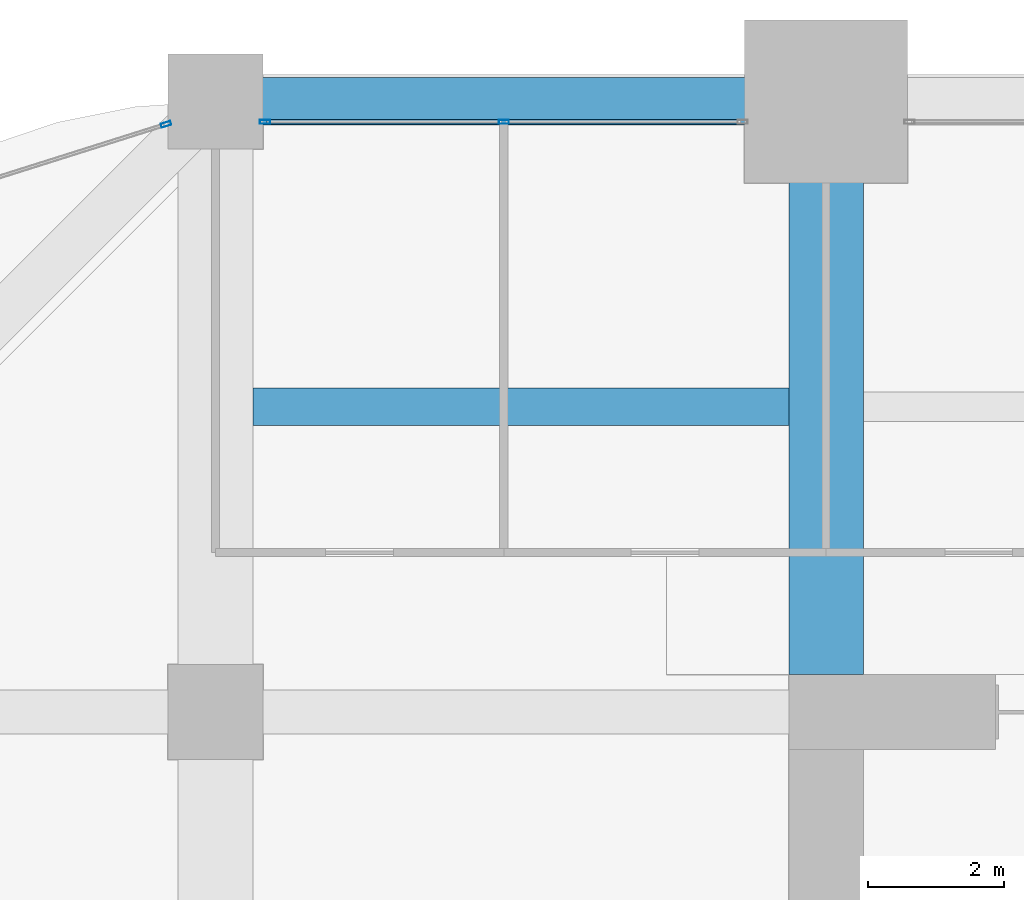
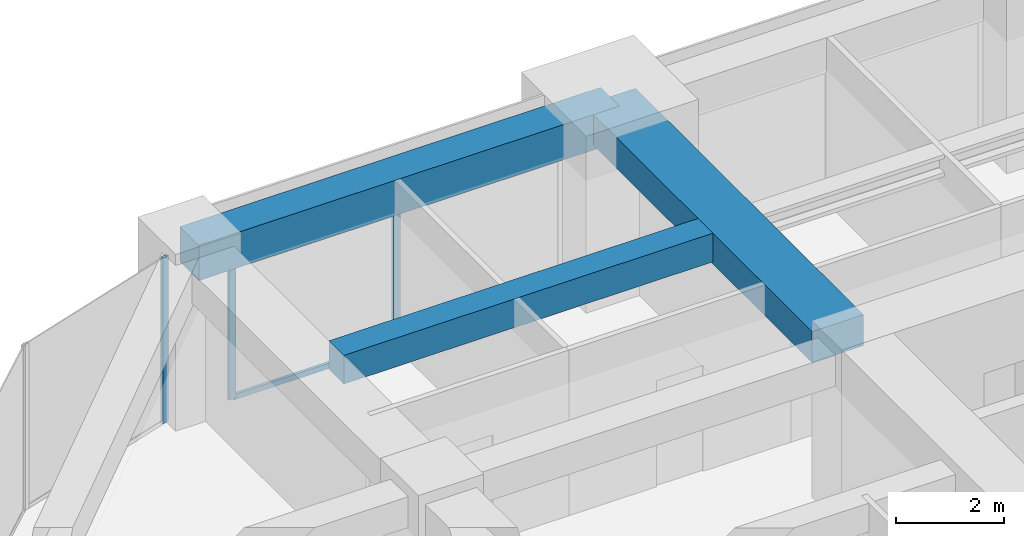
# One storey, part 23 of 32: 4 members, 3 beams, 2 elements without a shape of their own.
"""IFC4 building model written with IfcOpenShell, lengths in metres."""

import ifcopenshell
import ifcopenshell.guid

model = None  # the IFC model being written
_history = None  # IfcOwnerHistory: only IFC2X3 demands one
_inside = {}  # id of a spatial element -> (the spatial element, [elements in it])
_under = {}  # id of a project, library or spatial element -> (it, [spatial elements below it])
_declared = {}  # id of a project -> (the project, [libraries it declares])
_typed = {}  # id of a type object -> (the type object, [elements of that type])
_made_of = {}  # id of a material, layer set ... -> (it, [elements and type objects made of it])


def new_model(schema):
    """Start an empty IFC model of exactly this schema.

    Asked for "IFC4X3", IfcOpenShell would pick the latest addendum, in which some entities
    have other attributes; the version numbers below select the first issue.
    IFC2X3 requires an IfcOwnerHistory on every rooted entity: one is made here for all.
    """
    global model, _history
    if schema == "IFC4X3":
        model = ifcopenshell.file(schema_version=(4, 3, 0, 0))
    else:
        model = ifcopenshell.file(schema=schema)
    _inside.clear()
    _under.clear()
    _declared.clear()
    _typed.clear()
    _made_of.clear()
    _history = None
    if model.schema == "IFC2X3":
        org = make("IfcOrganization", Name="unknown")
        user = make(
            "IfcPersonAndOrganization",
            ThePerson=make("IfcPerson", FamilyName="unknown"),
            TheOrganization=org,
        )
        app = make(
            "IfcApplication",
            ApplicationDeveloper=org,
            Version="unknown",
            ApplicationFullName="unknown",
            ApplicationIdentifier="unknown",
        )
        _history = make(
            "IfcOwnerHistory",
            OwningUser=user,
            OwningApplication=app,
            ChangeAction="ADDED",
            CreationDate=0,
        )
    return model


def make(cls, **values):
    """One entity of the class cls with the attributes given. An attribute that is None is left unset."""
    return model.create_entity(
        cls, **{name: value for name, value in values.items() if value is not None}
    )


def rooted(cls, **values):
    """An entity with a GlobalId (a new one), such as an element, a storey or a relation."""
    return make(cls, GlobalId=ifcopenshell.guid.new(), OwnerHistory=_history, **values)


def si_unit(unit_type, name, prefix=None):
    """IfcSIUnit, for example si_unit("LENGTHUNIT", "METRE", prefix="MILLI")."""
    return make("IfcSIUnit", UnitType=unit_type, Prefix=prefix, Name=name)


def assignment(units):
    """IfcUnitAssignment: the units of a project."""
    return None if units is None else make("IfcUnitAssignment", Units=units)


def point(xyz):
    """IfcCartesianPoint."""
    return None if xyz is None else make("IfcCartesianPoint", Coordinates=xyz)


def direction(xyz):
    """IfcDirection."""
    return None if xyz is None else make("IfcDirection", DirectionRatios=xyz)


def frame(location, z_axis=None, x_axis=None):
    """IfcAxis2Placement3D, a coordinate frame: its origin and axes. An axis left out is left unset."""
    return make(
        "IfcAxis2Placement3D",
        Location=point(location),
        Axis=direction(z_axis),
        RefDirection=direction(x_axis),
    )


def frame_2d(location, x_axis=None):
    """IfcAxis2Placement2D, a coordinate frame in the plane: its origin and x axis."""
    return make(
        "IfcAxis2Placement2D", Location=point(location), RefDirection=direction(x_axis)
    )


def origin():
    """The frame at (0, 0, 0) with its axes left unset."""
    return frame((0.0, 0.0, 0.0))


def origin_2d():
    """The frame at (0, 0) in the plane with its x axis left unset."""
    return frame_2d((0.0, 0.0))


def place(relative_to, where):
    """IfcLocalPlacement: puts the frame where relative to a parent placement (None: the world)."""
    return make(
        "IfcLocalPlacement", PlacementRelTo=relative_to, RelativePlacement=where
    )


def context(
    kind, dimensions, precision=None, world=None, true_north=None, identifier=None
):
    """IfcGeometricRepresentationContext, for example the 3D "Model" context."""
    return make(
        "IfcGeometricRepresentationContext",
        ContextIdentifier=identifier,
        ContextType=kind,
        CoordinateSpaceDimension=dimensions,
        Precision=precision,
        WorldCoordinateSystem=world,
        TrueNorth=true_north,
    )


def subcontext(parent, identifier, kind, view, scale=None):
    """IfcGeometricRepresentationSubContext, for example "Body" below "Model"."""
    return make(
        "IfcGeometricRepresentationSubContext",
        ContextIdentifier=identifier,
        ContextType=kind,
        ParentContext=parent,
        TargetScale=scale,
        TargetView=view,
    )


def project(units=None, contexts=None):
    """IfcProject with its units and contexts."""
    return rooted(
        "IfcProject",
        Name="project",
        RepresentationContexts=contexts,
        UnitsInContext=assignment(units),
    )


def spatial(cls, under=None, at=None, **own):
    """A site, building, storey or space (cls), placed at a placement, below another one or the project."""
    s = rooted(cls, ObjectPlacement=at, **own)
    if under is not None:
        _under.setdefault(under.id(), (under, []))[1].append(s)
    return s


def profile(cls, at=None, kind="AREA", **sizes):
    """A parametric profile (cls). Its sizes go by their IFC names, for example OverallWidth=200.0."""
    return make(cls, ProfileType=kind, Position=at, **sizes)


def rectangle(**sizes):
    """IfcRectangleProfileDef."""
    return profile("IfcRectangleProfileDef", **sizes)


def hollow_rectangle(**sizes):
    """IfcRectangleHollowProfileDef."""
    return profile("IfcRectangleHollowProfileDef", **sizes)


def extrude(swept, where, along, depth):
    """IfcExtrudedAreaSolid: the profile swept, set in the frame where, extruded along a direction by depth."""
    return make(
        "IfcExtrudedAreaSolid",
        SweptArea=swept,
        Position=where,
        ExtrudedDirection=direction(along),
        Depth=depth,
    )


def shape(context_of_items, identifier, shape_type, items):
    """IfcShapeRepresentation: the items that make up one representation, for example the "Body"."""
    return make(
        "IfcShapeRepresentation",
        ContextOfItems=context_of_items,
        RepresentationIdentifier=identifier,
        RepresentationType=shape_type,
        Items=items,
    )


def material(Name=None, Category=None):
    """IfcMaterial."""
    return make("IfcMaterial", Name=Name, Category=Category)


def material_profile(
    of_material, cross_section, Name=None, Category=None, Priority=None
):
    """IfcMaterialProfile: a cross section and its material."""
    return make(
        "IfcMaterialProfile",
        Name=Name,
        Material=of_material,
        Profile=cross_section,
        Priority=Priority,
        Category=Category,
    )


def profile_set(profiles, Name=None, composite=None):
    """IfcMaterialProfileSet."""
    return make(
        "IfcMaterialProfileSet",
        Name=Name,
        MaterialProfiles=profiles,
        CompositeProfile=composite,
    )


def made_of(thing, what):
    """Note that an element or type object is made of a material, layer set ...; save() writes the relation."""
    if what is not None:
        _made_of.setdefault(what.id(), (what, []))[1].append(thing)
    return thing


def type_object(cls, material=None, **own):
    """A type object (cls), such as IfcWallType, which elements share."""
    return made_of(rooted(cls, **own), material)


def element(
    cls,
    number,
    at=None,
    inside=None,
    cuts=None,
    type_object=None,
    material=None,
    context=None,
    identifier="Body",
    shape_type=None,
    held_by="IfcProductDefinitionShape",
    body=None,
    shapes=None,
    **own,
):
    """One element of the class cls, such as IfcWall. Its Tag is "e" and its number.

    at: its placement. inside: the storey or other place that contains it. cuts: it is an
    opening in that element (IfcRelVoidsElement). A single representation is given by context,
    identifier, shape_type and body (its items); several are given by shapes. held_by: the class
    of the entity that holds the representations. save() writes the other relations.
    """
    e = rooted(cls, Tag="e%d" % number, ObjectPlacement=at, **own)
    if body is not None:
        shapes = [shape(context, identifier, shape_type, body)]
    if shapes is not None:
        e.Representation = make(held_by, Representations=shapes)
    if inside is not None:
        _inside.setdefault(inside.id(), (inside, []))[1].append(e)
    if cuts is not None:
        rooted(
            "IfcRelVoidsElement", RelatingBuildingElement=cuts, RelatedOpeningElement=e
        )
    if type_object is not None:
        _typed.setdefault(type_object.id(), (type_object, []))[1].append(e)
    return made_of(e, material)


def aggregate(whole, parts):
    """IfcRelAggregates: a whole, such as a stair, and the parts it consists of."""
    return rooted("IfcRelAggregates", RelatingObject=whole, RelatedObjects=parts)


def save(model, path):
    """Write the relations noted so far, then the file.

    IfcRelAggregates (storeys below a building ...), IfcRelContainedInSpatialStructure (elements
    in a storey), IfcRelDefinesByType, IfcRelAssociatesMaterial and IfcRelDeclares: one each for
    every whole, place, type object, material and project.
    """
    for whole, parts in _under.values():
        aggregate(whole, parts)
    for where, things in _inside.values():
        rooted(
            "IfcRelContainedInSpatialStructure",
            RelatedElements=things,
            RelatingStructure=where,
        )
    for kind, things in _typed.values():
        rooted("IfcRelDefinesByType", RelatedObjects=things, RelatingType=kind)
    for what, things in _made_of.values():
        rooted("IfcRelAssociatesMaterial", RelatedObjects=things, RelatingMaterial=what)
    for by, libraries in _declared.values():
        rooted("IfcRelDeclares", RelatingContext=by, RelatedDefinitions=libraries)
    model.write(path)


model = new_model("IFC4")

# Units and contexts
model_context = context("Model", 3, precision=1e-05, world=origin(), true_north=direction((0.0, 1.0)))
body_context = subcontext(model_context, "Body", "Model", "MODEL_VIEW")
ifc_project = project(units=[si_unit("LENGTHUNIT", "METRE"), si_unit("AREAUNIT", "SQUARE_METRE"), si_unit("VOLUMEUNIT", "CUBIC_METRE"), si_unit("PLANEANGLEUNIT", "RADIAN"), si_unit("MASSUNIT", "GRAM", prefix="KILO")], contexts=[model_context])

# Site, building, storey
site_placement = place(None, origin())
site = spatial("IfcSite", under=ifc_project, at=site_placement, CompositionType="ELEMENT")
building_placement = place(site_placement, origin())
building = spatial("IfcBuilding", under=site, at=building_placement, Name="Zorevar Civic Tower", CompositionType="ELEMENT")
storey_placement = place(building_placement, frame((0.0, 0.0, 202.199951171875)))
storey = spatial("IfcBuildingStorey", under=building, at=storey_placement, Name="L49", CompositionType="ELEMENT", Elevation=202.199951171875)

# Beams
ifc_material_1 = material(Name="Concrete C50/60", Category="concrete")
ifc_material_profile_1 = material_profile(ifc_material_1, rectangle(XDim=1.10009765625, YDim=0.699951171875, at=origin_2d()), Name="RC 1100x700")
ifc_profile_set_1 = profile_set([ifc_material_profile_1], Name="Concrete C50/60")
beam_type_1 = type_object("IfcBeamType", Name="Beam RC 1100x700", PredefinedType="BEAM", material=ifc_profile_set_1)
beam_1_placement = place(storey_placement, frame((18.0, 36.550048828125, 3.400146484375), z_axis=(0.0, 1.0, 0.0), x_axis=(-1.0, 0.0, 0.0)))
element("IfcBeam", 1, at=beam_1_placement, inside=storey, type_object=beam_type_1, Name="Girder L50", PredefinedType="BEAM", context=body_context, shape_type="SweptSolid", body=[
    extrude(rectangle(XDim=1.10009765625, YDim=0.699951171875, at=origin_2d()), origin(), (0.0, 0.0, 1.0), 8.449951171875),
])
ifc_material_2 = material(Name="Concrete C50/60", Category="concrete")
ifc_material_profile_2 = material_profile(ifc_material_2, rectangle(XDim=0.550048828125, YDim=0.64990234375, at=origin_2d()), Name="RC 550x650")
ifc_profile_set_2 = profile_set([ifc_material_profile_2], Name="Concrete C50/60")
beam_type_2 = type_object("IfcBeamType", Name="Beam RC 550x650", PredefinedType="BEAM", material=ifc_profile_set_2)
beam_2_placement = place(storey_placement, frame((9.550048828125, 40.5, 3.425048828125), z_axis=(1.0, 0.0, 0.0), x_axis=(0.0, 1.0, 0.0)))
element("IfcBeam", 2, at=beam_2_placement, inside=storey, type_object=beam_type_2, Name="Secondary beam L50", PredefinedType="BEAM", context=body_context, shape_type="SweptSolid", body=[
    extrude(rectangle(XDim=0.550048828125, YDim=0.64990234375, at=origin_2d()), origin(), (0.0, 0.0, 1.0), 7.89990234375),
])

# Curtain wall, members
ifc_material_3 = material(Name="Dark grey solar-control glass in black aluminium frame", Category="aluminium")
curtain_wall_type = type_object("IfcCurtainWallType", Name="Curtain wall CW4 high zone", PredefinedType="NOTDEFINED", material=ifc_material_3)
curtain_wall_1_placement = place(storey_placement, origin())
curtain_wall_1 = element("IfcCurtainWall", 3, at=curtain_wall_1_placement, inside=storey, type_object=curtain_wall_type, Name="CW4 L49", PredefinedType="NOTDEFINED")
ifc_material_4 = material(Name="Aluminium, black anodised", Category="aluminium")
ifc_material_profile_3 = material_profile(ifc_material_4, hollow_rectangle(XDim=0.06005859375, YDim=0.14990234375, WallThickness=0.00390625, at=origin_2d()), Name="AL 150x60x4")
ifc_profile_set_3 = profile_set([ifc_material_profile_3], Name="Aluminium, black anodised")
member_type_1 = type_object("IfcMemberType", Name="CW4 mullion AL 150x60x4", PredefinedType="MULLION", material=ifc_profile_set_3)
member_1_placement = place(storey_placement, frame((9.72998046875, 44.699951171875, 0.0), z_axis=(0.0, 0.0, 1.0), x_axis=(0.0, 1.0, 0.0)))
member_1 = element("IfcMember", 4, at=member_1_placement, type_object=member_type_1, Name="CW4 mullion 1", PredefinedType="MULLION", context=body_context, shape_type="SweptSolid", body=[
    extrude(hollow_rectangle(XDim=0.06005859375, YDim=0.14990234375, WallThickness=0.00390625, at=origin_2d()), origin(), (0.0, 0.0, 1.0), 2.949951171875),
])
member_2_placement = place(storey_placement, frame((13.25, 44.699951171875, 0.06005859375), z_axis=(0.0, 0.0, 1.0), x_axis=(0.0, 1.0, 0.0)))
member_2 = element("IfcMember", 5, at=member_2_placement, type_object=member_type_1, Name="CW4 mullion 2", PredefinedType="MULLION", context=body_context, shape_type="SweptSolid", body=[
    extrude(hollow_rectangle(XDim=0.06005859375, YDim=0.14990234375, WallThickness=0.00390625, at=origin_2d()), origin(), (0.0, 0.0, 1.0), 2.889892578125),
])

# Curtain wall, member
curtain_wall_2_placement = place(storey_placement, origin())
curtain_wall_2 = element("IfcCurtainWall", 6, at=curtain_wall_2_placement, inside=storey, type_object=curtain_wall_type, Name="CW4 L49", PredefinedType="NOTDEFINED")
member_3_placement = place(storey_placement, frame((8.271484375, 44.66259765625, 0.0), z_axis=(0.0, 0.0, 1.0), x_axis=(0.301108296077, -0.953589950678, 0.0)))
member_3 = element("IfcMember", 7, at=member_3_placement, type_object=member_type_1, Name="CW4 mullion 1", PredefinedType="MULLION", context=body_context, shape_type="SweptSolid", body=[
    extrude(hollow_rectangle(XDim=0.06005859375, YDim=0.14990234375, WallThickness=0.00390625, at=origin_2d()), origin(), (0.0, 0.0, 1.0), 3.75),
])
aggregate(curtain_wall_2, [member_3])

# Member
ifc_material_5 = material(Name="Aluminium, black anodised", Category="aluminium")
ifc_material_profile_4 = material_profile(ifc_material_5, hollow_rectangle(XDim=0.06005859375, YDim=0.1201171875, WallThickness=0.0029296875, at=origin_2d()), Name="AL 120x60x3")
ifc_profile_set_4 = profile_set([ifc_material_profile_4], Name="Aluminium, black anodised")
member_type_2 = type_object("IfcMemberType", Name="CW4 transom AL 120x60x3", PredefinedType="USERDEFINED", material=ifc_profile_set_4)
member_4_placement = place(storey_placement, frame((9.760009765625, 44.699951171875, 0.030029296875), z_axis=(1.0, 0.0, 0.0), x_axis=(0.0, 1.0, 0.0)))
member_4 = element("IfcMember", 8, at=member_4_placement, type_object=member_type_2, Name="CW4 sill transom", ObjectType="TRANSOM", PredefinedType="USERDEFINED", context=body_context, shape_type="SweptSolid", body=[
    extrude(hollow_rectangle(XDim=0.06005859375, YDim=0.1201171875, WallThickness=0.0029296875, at=origin_2d()), origin(), (0.0, 0.0, 1.0), 6.97998046875),
])

aggregate(curtain_wall_1, [member_1, member_2, member_4])

# Beam
ifc_material_6 = material(Name="Concrete C50/60", Category="concrete")
ifc_material_profile_5 = material_profile(ifc_material_6, rectangle(XDim=0.699951171875, YDim=0.800048828125, at=origin_2d()), Name="RC 700x800")
ifc_profile_set_5 = profile_set([ifc_material_profile_5], Name="Concrete C50/60")
beam_type_3 = type_object("IfcBeamType", Name="Edge beam RC 700x800", PredefinedType="SPANDREL", material=ifc_profile_set_5)
beam_3_placement = place(storey_placement, frame((9.0, 45.0, 3.35009765625), z_axis=(1.0, 0.0, 0.0), x_axis=(0.0, 1.0, 0.0)))
element("IfcBeam", 9, at=beam_3_placement, inside=storey, type_object=beam_type_3, Name="Edge beam L50", PredefinedType="SPANDREL", context=body_context, shape_type="SweptSolid", body=[
    extrude(rectangle(XDim=0.699951171875, YDim=0.800048828125, at=origin_2d()), origin(), (0.0, 0.0, 1.0), 9.0),
])

save(model, "model.ifc")
